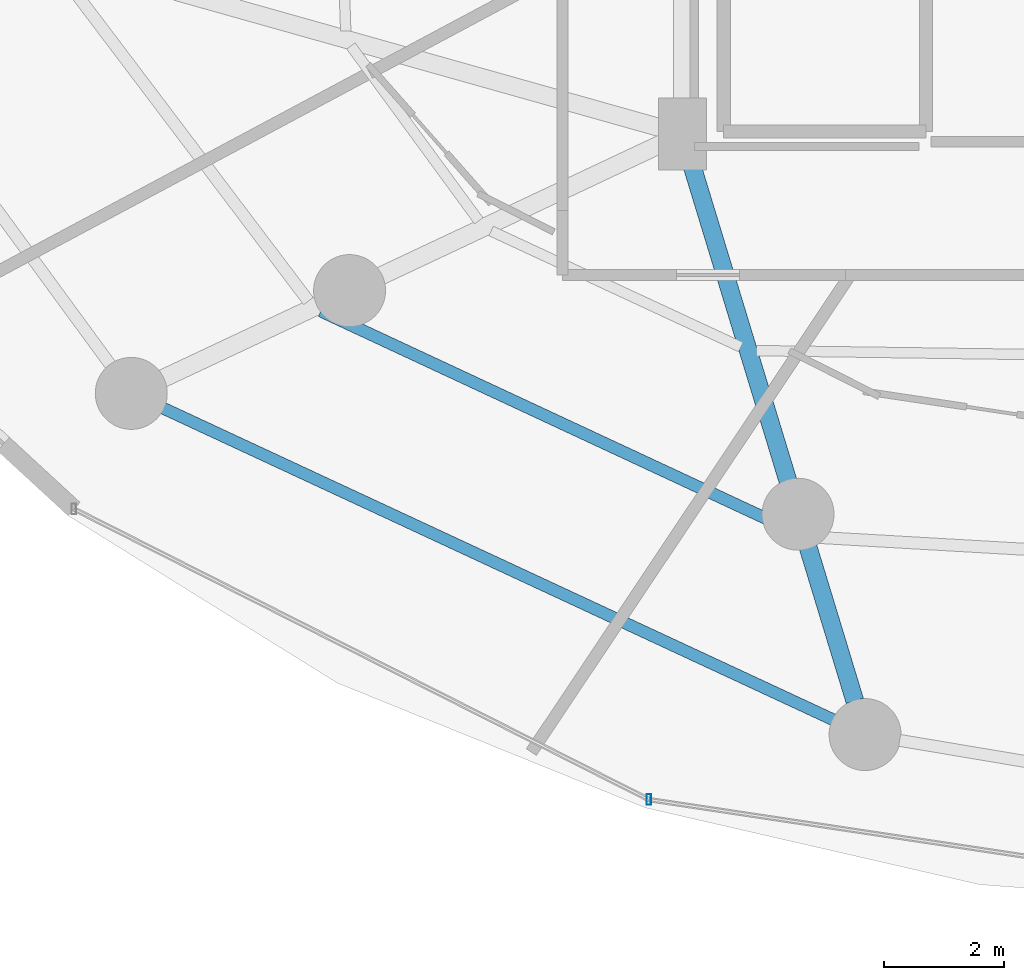
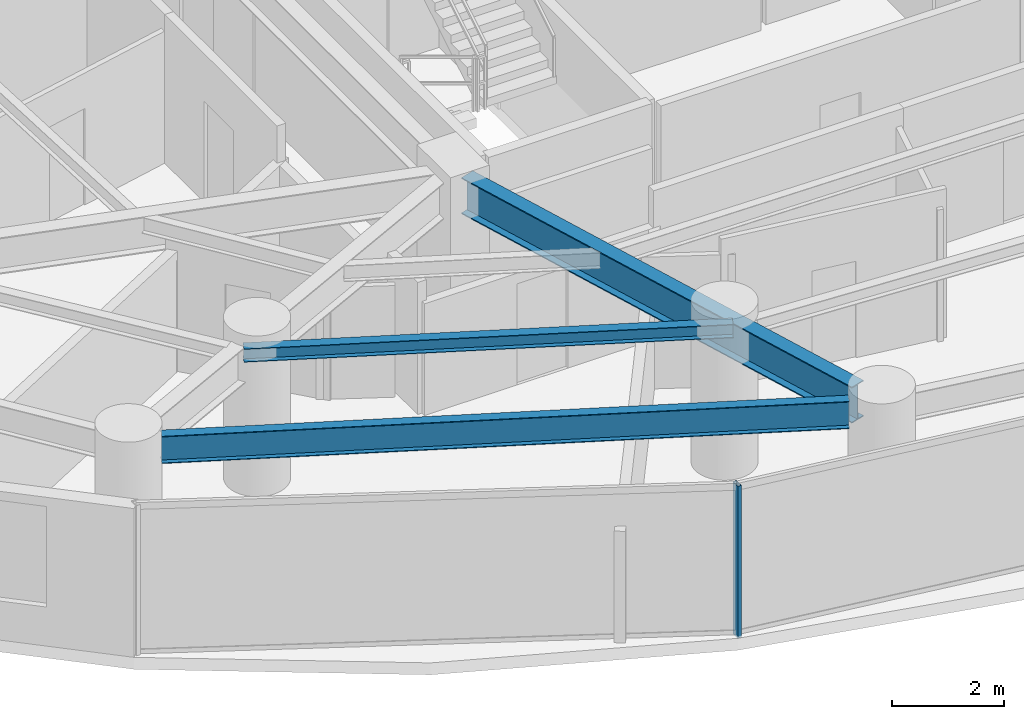
# One storey, part 5 of 34: 3 beams, 1 member, 1 element without a shape of its own.
"""IFC4 building model written with IfcOpenShell, lengths in metres."""

from ifc_helpers import new_model, si_unit, direction, frame, origin, origin_2d, place, context, subcontext, project, spatial, hollow_rectangle, i_section, extrude, material, material_profile, profile_set, type_object, element, aggregate, save


model = new_model("IFC4")

# Units and contexts
model_context = context("Model", 3, precision=1e-05, world=origin(), true_north=direction((0.0, 1.0)))
body_context = subcontext(model_context, "Body", "Model", "MODEL_VIEW")
ifc_project = project(units=[si_unit("LENGTHUNIT", "METRE"), si_unit("AREAUNIT", "SQUARE_METRE"), si_unit("VOLUMEUNIT", "CUBIC_METRE"), si_unit("PLANEANGLEUNIT", "RADIAN"), si_unit("MASSUNIT", "GRAM", prefix="KILO")], contexts=[model_context])

# Site, building, storey
site_placement = place(None, origin())
site = spatial("IfcSite", under=ifc_project, at=site_placement, CompositionType="ELEMENT")
building_placement = place(site_placement, origin())
building = spatial("IfcBuilding", under=site, at=building_placement, Name="Vorneva Point Tower", CompositionType="ELEMENT")
storey_placement = place(building_placement, frame((0.0, 0.0, 62.5)))
storey = spatial("IfcBuildingStorey", under=building, at=storey_placement, Name="L16", CompositionType="ELEMENT", Elevation=62.5)

# Beams
ifc_material_1 = material(Name="Steel S355", Category="steel")
ifc_material_profile_1 = material_profile(ifc_material_1, i_section(OverallWidth=0.300048828125, OverallDepth=0.7880859375, WebThickness=0.014404296875, FlangeThickness=0.02197265625, at=origin_2d()), Name="80Sh1")
ifc_profile_set_1 = profile_set([ifc_material_profile_1], Name="Steel S355")
beam_type_1 = type_object("IfcBeamType", Name="BM-GRD-80Sh1", PredefinedType="USERDEFINED", material=ifc_profile_set_1)
beam_1_placement = place(storey_placement, frame((30.125732421875, 6.997802734375, 2.845947265625), z_axis=(-0.29105061459, 0.956707656365, 0.0), x_axis=(-0.956707656365, -0.29105061459, 0.0)))
element("IfcBeam", 1, at=beam_1_placement, inside=storey, type_object=beam_type_1, Name="L16 Radial Primary Girder 12", ObjectType="GIRDER", PredefinedType="USERDEFINED", context=body_context, shape_type="SweptSolid", body=[
    extrude(i_section(OverallWidth=0.300048828125, OverallDepth=0.7880859375, WebThickness=0.014404296875, FlangeThickness=0.02197265625, at=origin_2d()), origin(), (0.0, 0.0, 1.0), 9.5400390625),
])
ifc_material_profile_2 = material_profile(ifc_material_1, i_section(OverallWidth=0.199951171875, OverallDepth=0.291015625, WebThickness=0.008056640625, FlangeThickness=0.010986328125, at=origin_2d()), Name="30Sh1")
ifc_profile_set_2 = profile_set([ifc_material_profile_2], Name="Steel S355")
beam_type_2 = type_object("IfcBeamType", Name="BM-SEC-30Sh1", PredefinedType="BEAM", material=ifc_profile_set_2)
beam_2_placement = place(storey_placement, frame((21.22314453125, 13.49560546875, 3.094482421875), z_axis=(0.906447691893, -0.422318105061, 0.0), x_axis=(0.422318105061, 0.906447691893, 0.0)))
element("IfcBeam", 2, at=beam_2_placement, inside=storey, type_object=beam_type_2, Name="L16 Secondary Floor Beam 1.11", PredefinedType="BEAM", context=body_context, shape_type="SweptSolid", body=[
    extrude(i_section(OverallWidth=0.199951171875, OverallDepth=0.291015625, WebThickness=0.008056640625, FlangeThickness=0.010986328125, at=origin_2d()), origin(), (0.0, 0.0, 1.0), 8.764404296875),
])
ifc_material_profile_3 = material_profile(ifc_material_1, i_section(OverallWidth=0.198974609375, OverallDepth=0.595947265625, WebThickness=0.010009765625, FlangeThickness=0.014892578125, at=origin_2d()), Name="60B1")
ifc_profile_set_3 = profile_set([ifc_material_profile_3], Name="Steel S355")
beam_type_3 = type_object("IfcBeamType", Name="BM-SPN-60B1", PredefinedType="SPANDREL", material=ifc_profile_set_3)
beam_3_placement = place(storey_placement, frame((18.591796875, 11.877685546875, 2.94189453125), z_axis=(0.906772901024, -0.421619385191, 0.0), x_axis=(0.421619385191, 0.906772901024, 0.0)))
element("IfcBeam", 3, at=beam_3_placement, inside=storey, type_object=beam_type_3, Name="L16 Perimeter Spandrel Ring Beam 11", PredefinedType="SPANDREL", context=body_context, shape_type="SweptSolid", body=[
    extrude(i_section(OverallWidth=0.198974609375, OverallDepth=0.595947265625, WebThickness=0.010009765625, FlangeThickness=0.014892578125, at=origin_2d()), origin(), (0.0, 0.0, 1.0), 12.323486328125),
])

# Curtain wall, member
ifc_material_2 = material(Name="Pale anodised aluminium", Category="aluminium")
curtain_wall_type = type_object("IfcCurtainWallType", Name="CW-HTL-SYS", PredefinedType="NOTDEFINED", material=ifc_material_2)
curtain_wall_placement = place(storey_placement, origin())
curtain_wall = element("IfcCurtainWall", 4, at=curtain_wall_placement, inside=storey, type_object=curtain_wall_type, Name="L16 Unitised Curtain Wall CW-L16-R04", PredefinedType="NOTDEFINED")
ifc_material_profile_4 = material_profile(ifc_material_2, hollow_rectangle(XDim=0.074951171875, YDim=0.179931640625, WallThickness=0.00390625, at=origin_2d()), Name="AL-MUL 180x75x4")
ifc_profile_set_4 = profile_set([ifc_material_profile_4], Name="Pale anodised aluminium")
member_type = type_object("IfcMemberType", Name="CW-MUL-180", PredefinedType="MULLION", material=ifc_profile_set_4)
member_placement = place(storey_placement, frame((26.691650390625, 5.351318359375, -0.0400390625), z_axis=(0.0, 0.0, 1.0), x_axis=(1.0, 0.0, 0.0)))
member = element("IfcMember", 5, at=member_placement, type_object=member_type, Name="CW-L16-R04 Mullion 02", PredefinedType="MULLION", context=body_context, shape_type="SweptSolid", body=[
    extrude(hollow_rectangle(XDim=0.074951171875, YDim=0.179931640625, WallThickness=0.00390625, at=origin_2d()), origin(), (0.0, 0.0, 1.0), 3.31005859375),
])
aggregate(curtain_wall, [member])

save(model, "model.ifc")
